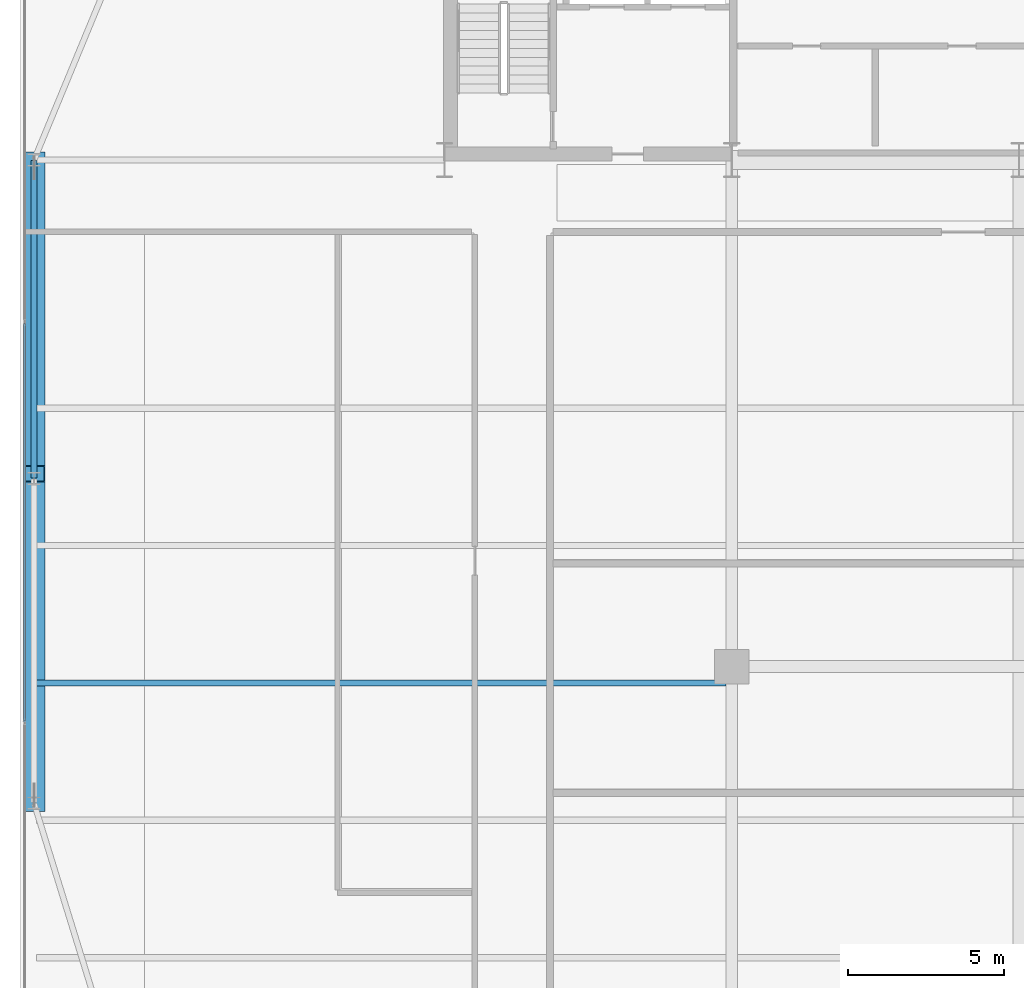
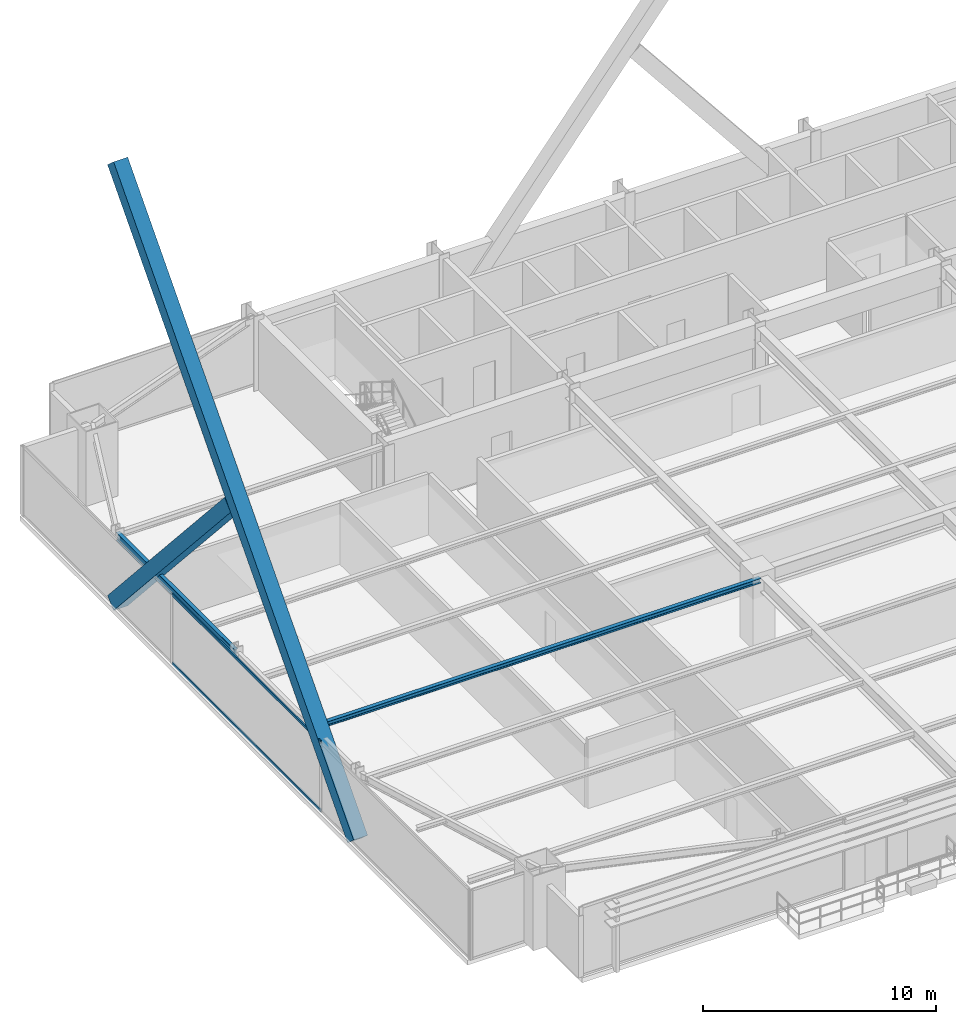
# One storey, part 10 of 32: 4 members, 2 beams, 1 element without a shape of its own.
"""IFC4 building model written with IfcOpenShell, lengths in metres."""

from ifc_helpers import new_model, si_unit, direction, frame, origin, origin_2d, place, context, subcontext, project, spatial, hollow_rectangle, i_section, extrude, source, transform, mapped, material, layer, layer_set, material_profile, profile_set, type_object, type_shapes, element, aggregate, save


model = new_model("IFC4")

# Units and contexts
model_context = context("Model", 3, precision=1e-05, world=origin(), true_north=direction((0.0, 1.0)))
body_context = subcontext(model_context, "Body", "Model", "MODEL_VIEW")
ifc_project = project(units=[si_unit("LENGTHUNIT", "METRE"), si_unit("AREAUNIT", "SQUARE_METRE"), si_unit("VOLUMEUNIT", "CUBIC_METRE"), si_unit("PLANEANGLEUNIT", "RADIAN"), si_unit("MASSUNIT", "GRAM", prefix="KILO")], contexts=[model_context])

# Site, building, storey
site_placement = place(None, origin())
site = spatial("IfcSite", under=ifc_project, at=site_placement, CompositionType="ELEMENT")
building_placement = place(site_placement, origin())
building = spatial("IfcBuilding", under=site, at=building_placement, Name="Varnel Quay Broadcast Tower", CompositionType="ELEMENT")
storey_placement = place(building_placement, frame((0.0, 0.0, 58.800048828125)))
storey = spatial("IfcBuildingStorey", under=building, at=storey_placement, Name="L13", CompositionType="ELEMENT", Elevation=58.800048828125)

# Beams
ifc_material_1 = material(Name="Structural Steel CSA G40.21 350W", Category="steel")
ifc_material_profile_1 = material_profile(ifc_material_1, i_section(OverallWidth=0.180908203125, OverallDepth=0.4169921875, WebThickness=0.010986328125, FlangeThickness=0.018310546875, FilletRadius=0.011962890625, at=origin_2d()), Name="W410X85")
ifc_profile_set_1 = profile_set([ifc_material_profile_1], Name="Structural Steel CSA G40.21 350W")
beam_type_1 = type_object("IfcBeamType", Name="Beam_W410X85", PredefinedType="SPANDREL", material=ifc_profile_set_1)
shared_shape_1 = source(origin(), body_context, "Body", "SweptSolid", [
    extrude(i_section(OverallWidth=0.180908203125, OverallDepth=0.4169921875, WebThickness=0.010986328125, FlangeThickness=0.018310546875, FilletRadius=0.011962890625, at=origin_2d()), origin(), (0.0, 0.0, 1.0), 10.16015625),
])
type_shapes(beam_type_1, [shared_shape_1])
beam_1_placement = place(storey_placement, frame((2.449951171875, 25.419921875, 3.44140625), z_axis=(0.0, 1.0, 0.0), x_axis=(-1.0, 0.0, 0.0)))
element("IfcBeam", 1, at=beam_1_placement, inside=storey, type_object=beam_type_1, Name="L13 West Spandrel TC-W2-TC-W3", PredefinedType="SPANDREL", context=body_context, shape_type="MappedRepresentation", body=[
    mapped(shared_shape_1, transform((0.0, 0.0, 0.0), x_axis=(1.0, 0.0, 0.0), y_axis=(0.0, 1.0, 0.0), z_axis=(0.0, 0.0, 1.0), scale=1.0)),
])
ifc_material_profile_2 = material_profile(ifc_material_1, i_section(OverallWidth=0.201904296875, OverallDepth=0.2470703125, WebThickness=0.00732421875, FlangeThickness=0.010986328125, FilletRadius=0.010986328125, at=origin_2d()), Name="W250X49")
ifc_profile_set_2 = profile_set([ifc_material_profile_2], Name="Structural Steel CSA G40.21 350W")
beam_type_2 = type_object("IfcBeamType", Name="Beam_W250X49", PredefinedType="JOIST", material=ifc_profile_set_2)
shared_shape_2 = source(origin(), body_context, "Body", "SweptSolid", [
    extrude(i_section(OverallWidth=0.201904296875, OverallDepth=0.2470703125, WebThickness=0.00732421875, FlangeThickness=0.010986328125, FilletRadius=0.010986328125, at=origin_2d()), origin(), (0.0, 0.0, 1.0), 22.0791015625),
])
type_shapes(beam_type_2, [shared_shape_2])
beam_2_placement = place(storey_placement, frame((2.535400390625, 18.85009765625, 3.5263671875), z_axis=(1.0, 0.0, 0.0), x_axis=(0.0, 1.0, 0.0)))
element("IfcBeam", 2, at=beam_2_placement, inside=storey, type_object=beam_type_2, Name="L13 West Floor Joist 4", PredefinedType="JOIST", context=body_context, shape_type="MappedRepresentation", body=[
    mapped(shared_shape_2, transform((0.0, 0.0, 0.0), x_axis=(1.0, 0.0, 0.0), y_axis=(0.0, 1.0, 0.0), z_axis=(0.0, 0.0, 1.0), scale=1.0)),
])

# Members
ifc_material_2 = material(Name="Structural Steel CSA G40.21 350WT", Category="steel")
ifc_material_profile_3 = material_profile(ifc_material_2, hollow_rectangle(XDim=0.699951171875, YDim=0.699951171875, WallThickness=0.031982421875, at=origin_2d()), Name="BOX700X700X32")
ifc_profile_set_3 = profile_set([ifc_material_profile_3], Name="Structural Steel CSA G40.21 350WT")
member_type_1 = type_object("IfcMemberType", Name="Brace_BOX700X700X32", PredefinedType="BRACE", material=ifc_profile_set_3)
shared_shape_3 = source(origin(), body_context, "Body", "SweptSolid", [
    extrude(hollow_rectangle(XDim=0.699951171875, YDim=0.699951171875, WallThickness=0.031982421875, at=origin_2d()), origin(), (0.0, 0.0, 1.0), 30.906494140625),
])
member_1_placement = place(storey_placement, frame((2.449951171875, 15.0, 0.02001953125), z_axis=(0.0, 0.666531125363, 0.745477202148), x_axis=(-1.0, 0.0, 0.0)))
element("IfcMember", 3, at=member_1_placement, inside=storey, type_object=member_type_1, Name="Zone 1 Mega-Brace W-FT3 Continuous Diag A", PredefinedType="BRACE", context=body_context, shape_type="MappedRepresentation", body=[
    mapped(shared_shape_3, transform((0.0, 0.0, 0.0), x_axis=(1.0, 0.0, 0.0), y_axis=(0.0, 1.0, 0.0), z_axis=(0.0, 0.0, 1.0), scale=1.0)),
])
shared_shape_4 = source(origin(), body_context, "Body", "SweptSolid", [
    extrude(hollow_rectangle(XDim=0.699951171875, YDim=0.699951171875, WallThickness=0.031982421875, at=origin_2d()), origin(), (0.0, 0.0, 1.0), 15.075927734375),
])
type_shapes(member_type_1, [shared_shape_3, shared_shape_4])
member_2_placement = place(storey_placement, frame((2.449951171875, 35.60009765625, 0.02001953125), z_axis=(0.0, -0.666531153591, 0.745477176909), x_axis=(1.0, 0.0, 0.0)))
element("IfcMember", 4, at=member_2_placement, inside=storey, type_object=member_type_1, Name="Zone 1 Mega-Brace W-FT3 Split Diag B1", PredefinedType="BRACE", context=body_context, shape_type="MappedRepresentation", body=[
    mapped(shared_shape_4, transform((0.0, 0.0, 0.0), x_axis=(1.0, 0.0, 0.0), y_axis=(0.0, 1.0, 0.0), z_axis=(0.0, 0.0, 1.0), scale=1.0)),
])

# Curtain wall, members
ifc_material_3 = material(Name="Anodised Bronze Aluminium 6063-T6", Category="aluminium")
ifc_layer = layer(ifc_material_3, 0.18994140625, Name="Anodised Bronze Aluminium 6063-T6")
ifc_layer_set = layer_set([ifc_layer], Name="Anodised Bronze Aluminium 6063-T6")
curtain_wall_type = type_object("IfcCurtainWallType", Name="CW_LowerTower", PredefinedType="NOTDEFINED", material=ifc_layer_set)
curtain_wall_placement = place(storey_placement, origin())
curtain_wall = element("IfcCurtainWall", 5, at=curtain_wall_placement, inside=storey, type_object=curtain_wall_type, Name="L13 West Unitised Curtain Wall", PredefinedType="NOTDEFINED")
ifc_material_profile_4 = material_profile(ifc_material_3, hollow_rectangle(XDim=0.06005859375, YDim=0.14501953125, WallThickness=0.00341796875, at=origin_2d()), Name="ALU60X145X3.5")
ifc_profile_set_4 = profile_set([ifc_material_profile_4], Name="Anodised Bronze Aluminium 6063-T6")
member_type_2 = type_object("IfcMemberType", Name="Tran_CWS-02", PredefinedType="USERDEFINED", material=ifc_profile_set_4)
shared_shape_5 = source(origin(), body_context, "Body", "SweptSolid", [
    extrude(hollow_rectangle(XDim=0.06005859375, YDim=0.14501953125, WallThickness=0.00341796875, at=origin_2d()), origin(), (0.0, 0.0, 1.0), 12.72998046875),
])
type_shapes(member_type_2, [shared_shape_5])
member_3_placement = place(storey_placement, frame((2.14990234375, 17.635009765625, 0.030029296875), z_axis=(0.0, 1.0, 0.0), x_axis=(-1.0, 0.0, 0.0)))
member_3 = element("IfcMember", 6, at=member_3_placement, type_object=member_type_2, Name="CWS-02 transom 2.1", ObjectType="TRANSOM", PredefinedType="USERDEFINED", context=body_context, shape_type="MappedRepresentation", body=[
    mapped(shared_shape_5, transform((0.0, 0.0, 0.0), x_axis=(1.0, 0.0, 0.0), y_axis=(0.0, 1.0, 0.0), z_axis=(0.0, 0.0, 1.0), scale=1.0)),
])
member_4_placement = place(storey_placement, frame((2.14990234375, 17.635009765625, 3.619873046875), z_axis=(0.0, 1.0, 0.0), x_axis=(-1.0, 0.0, 0.0)))
member_4 = element("IfcMember", 7, at=member_4_placement, type_object=member_type_2, Name="CWS-02 transom 2.2", ObjectType="TRANSOM", PredefinedType="USERDEFINED", context=body_context, shape_type="MappedRepresentation", body=[
    mapped(shared_shape_5, transform((0.0, 0.0, 0.0), x_axis=(1.0, 0.0, 0.0), y_axis=(0.0, 1.0, 0.0), z_axis=(0.0, 0.0, 1.0), scale=1.0)),
])
aggregate(curtain_wall, [member_3, member_4])

save(model, "model.ifc")
